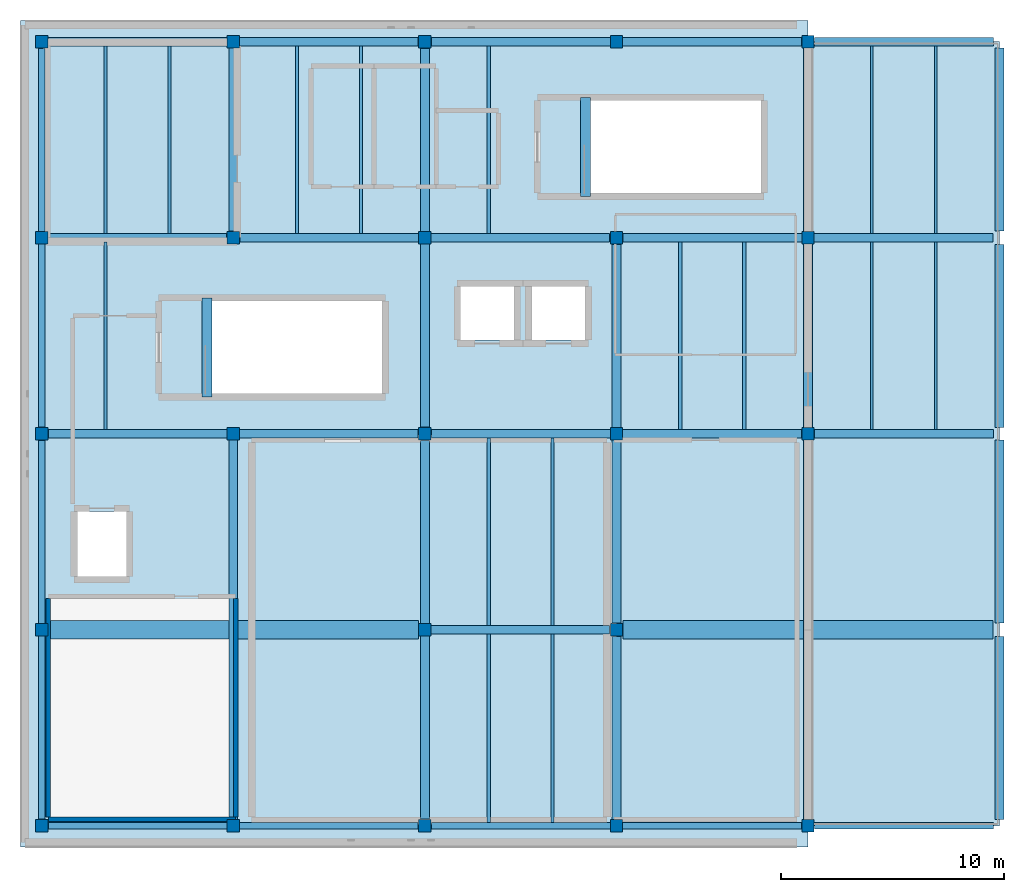
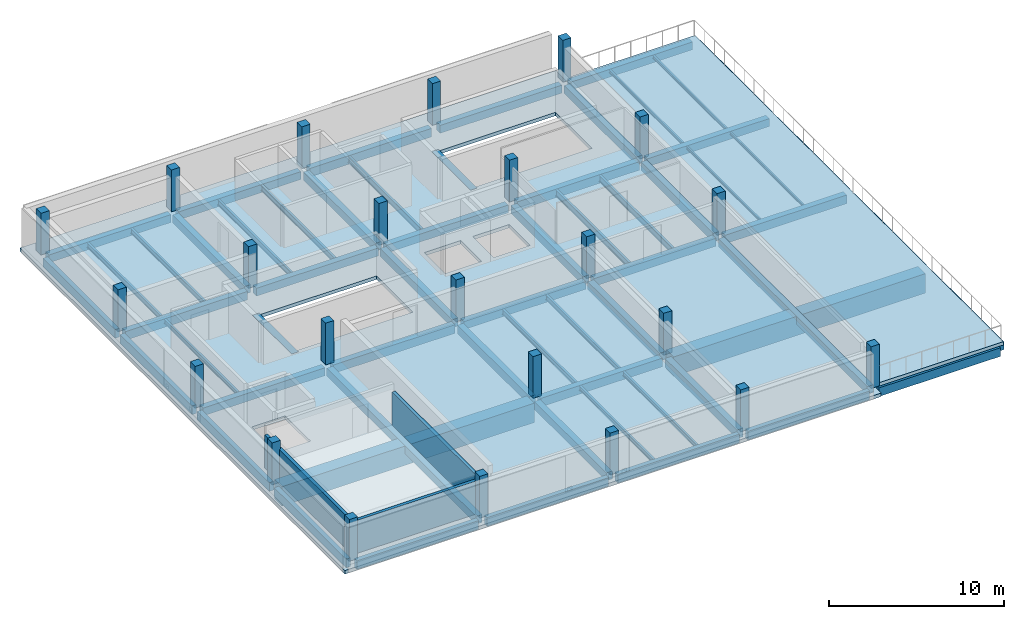
# One storey, part 1 of 6: 61 beams, 23 columns, 3 walls, 2 slabs.
"""IFC4 building model written with IfcOpenShell, lengths in metres."""

from ifc_helpers import new_model, si_unit, direction, frame, frame_2d, origin, origin_2d, place, context, subcontext, project, spatial, polyline, rectangle, i_section, outline, extrude, material, layer, layer_set, material_profile, profile_set, type_object, element, save


model = new_model("IFC4")

# Units and contexts
model_context = context("Model", 3, precision=1e-05, world=origin(), true_north=direction((0.0, 1.0)))
body_context = subcontext(model_context, "Body", "Model", "MODEL_VIEW")
ifc_project = project(units=[si_unit("LENGTHUNIT", "METRE"), si_unit("AREAUNIT", "SQUARE_METRE"), si_unit("VOLUMEUNIT", "CUBIC_METRE"), si_unit("PLANEANGLEUNIT", "RADIAN"), si_unit("MASSUNIT", "GRAM", prefix="KILO")], contexts=[model_context])

# Site, building, storey
site_placement = place(None, origin())
site = spatial("IfcSite", under=ifc_project, at=site_placement, CompositionType="ELEMENT")
building_placement = place(site_placement, origin())
building = spatial("IfcBuilding", under=site, at=building_placement, Name="Varnakota Cinema and Media Centre", CompositionType="ELEMENT")
storey_placement = place(building_placement, frame((0.0, 0.0, 25.5)))
storey = spatial("IfcBuildingStorey", under=building, at=storey_placement, Name="L07", CompositionType="ELEMENT", Elevation=25.5)

# Columns
ifc_material_1 = material(Name="Concrete M40", Category="concrete")
ifc_material_profile_1 = material_profile(ifc_material_1, rectangle(XDim=0.550048828125, YDim=0.550048828125, at=origin_2d()), Name="RC 550x550")
ifc_profile_set_1 = profile_set([ifc_material_profile_1], Name="Concrete M40")
column_type = type_object("IfcColumnType", Name="COL-RC-550x550", PredefinedType="COLUMN", material=ifc_profile_set_1)
for number, where, z_axis, x_axis, name in (
    (1, (0.0, 0.0, 0.0), (0.0, 0.0, 1.0), (1.0, 0.0, 0.0), "L07 column A/1"),
    (2, (0.0, 8.800048828125, 0.0), (0.0, 0.0, 1.0), (1.0, 0.0, 0.0), "L07 column A/2"),
    (3, (0.0, 17.60009765625, 0.0), (0.0, 0.0, 1.0), (1.0, 0.0, 0.0), "L07 column A/3"),
    (4, (0.0, 26.39990234375, 0.0), (0.0, 0.0, 1.0), (1.0, 0.0, 0.0), "L07 column A/4"),
    (5, (0.0, 35.199951171875, 0.0), (0.0, 0.0, 1.0), (1.0, 0.0, 0.0), "L07 column A/5"),
    (6, (8.60009765625, 0.0, 0.0), (0.0, 0.0, 1.0), (1.0, 0.0, 0.0), "L07 column B/1"),
    (7, (8.60009765625, 17.60009765625, 0.0), (0.0, 0.0, 1.0), (1.0, 0.0, 0.0), "L07 column B/3"),
    (8, (8.60009765625, 26.39990234375, 0.0), (0.0, 0.0, 1.0), (1.0, 0.0, 0.0), "L07 column B/4"),
    (9, (8.60009765625, 35.199951171875, 0.0), (0.0, 0.0, 1.0), (1.0, 0.0, 0.0), "L07 column B/5"),
    (10, (17.199951171875, 0.0, 0.0), (0.0, 0.0, 1.0), (1.0, 0.0, 0.0), "L07 column C/1"),
    (11, (17.199951171875, 8.800048828125, 0.0), (0.0, 0.0, 1.0), (1.0, 0.0, 0.0), "L07 column C/2"),
    (12, (17.199951171875, 17.60009765625, 0.0), (0.0, 0.0, 1.0), (1.0, 0.0, 0.0), "L07 column C/3"),
    (13, (17.199951171875, 26.39990234375, 0.0), (0.0, 0.0, 1.0), (1.0, 0.0, 0.0), "L07 column C/4"),
    (14, (17.199951171875, 35.199951171875, 0.0), (0.0, 0.0, 1.0), (1.0, 0.0, 0.0), "L07 column C/5"),
    (15, (25.800048828125, 0.0, 0.0), (0.0, 0.0, 1.0), (1.0, 0.0, 0.0), "L07 column D/1"),
    (16, (25.800048828125, 8.800048828125, 0.0), (0.0, 0.0, 1.0), (1.0, 0.0, 0.0), "L07 column D/2"),
    (17, (25.800048828125, 17.60009765625, 0.0), (0.0, 0.0, 1.0), (1.0, 0.0, 0.0), "L07 column D/3"),
    (18, (25.800048828125, 26.39990234375, 0.0), (0.0, 0.0, 1.0), (1.0, 0.0, 0.0), "L07 column D/4"),
    (19, (25.800048828125, 35.199951171875, 0.0), (0.0, 0.0, 1.0), (1.0, 0.0, 0.0), "L07 column D/5"),
    (20, (34.39990234375, 0.0, 0.0), (0.0, 0.0, 1.0), (1.0, 0.0, 0.0), "L07 column E/1"),
    (21, (34.39990234375, 17.60009765625, 0.0), (0.0, 0.0, 1.0), (1.0, 0.0, 0.0), "L07 column E/3"),
    (22, (34.39990234375, 26.39990234375, 0.0), (0.0, 0.0, 1.0), (1.0, 0.0, 0.0), "L07 column E/4"),
    (23, (34.39990234375, 35.199951171875, 0.0), (0.0, 0.0, 1.0), (1.0, 0.0, 0.0), "L07 column E/5"),
):
    element("IfcColumn", number, at=place(storey_placement, frame(where, z_axis=z_axis, x_axis=x_axis)), inside=storey, type_object=column_type, Name=name, PredefinedType="COLUMN", context=body_context, shape_type="SweptSolid", body=[
        extrude(rectangle(XDim=0.550048828125, YDim=0.550048828125, at=origin_2d()), origin(), (0.0, 0.0, 1.0), 2.909912109375),
    ])

# Beams
ifc_material_2 = material(Name="Concrete M35", Category="concrete")
ifc_material_profile_2 = material_profile(ifc_material_2, rectangle(XDim=0.39990234375, YDim=0.550048828125, at=origin_2d()), Name="RCB 400x550")
ifc_profile_set_2 = profile_set([ifc_material_profile_2], Name="Concrete M35")
beam_type_1 = type_object("IfcBeamType", Name="BM-RC-400x550", PredefinedType="BEAM", material=ifc_profile_set_2)
for number, where, z_axis, x_axis, name in (
    (24, (0.300048828125, 17.60009765625, -0.514892578125), (1.0, 0.0, 0.0), (0.0, 1.0, 0.0), "L07 girder A-B/3"),
    (25, (17.5, 17.60009765625, -0.514892578125), (1.0, 0.0, 0.0), (0.0, 1.0, 0.0), "L07 girder C-D/3"),
):
    element("IfcBeam", number, at=place(storey_placement, frame(where, z_axis=z_axis, x_axis=x_axis)), inside=storey, type_object=beam_type_1, Name=name, PredefinedType="BEAM", context=body_context, shape_type="SweptSolid", body=[
        extrude(rectangle(XDim=0.39990234375, YDim=0.550048828125, at=origin_2d()), origin(), (0.0, 0.0, 1.0), 8.02490234375),
    ])
for number, where, z_axis, x_axis, name in (
    (26, (26.074951171875, 17.60009765625, -0.514892578125), (1.0, 0.0, 0.0), (0.0, 1.0, 0.0), "L07 girder D-E/3"),
    (27, (8.89990234375, 26.39990234375, -0.514892578125), (1.0, 0.0, 0.0), (0.0, 1.0, 0.0), "L07 girder B-C/4"),
):
    element("IfcBeam", number, at=place(storey_placement, frame(where, z_axis=z_axis, x_axis=x_axis)), inside=storey, type_object=beam_type_1, Name=name, PredefinedType="BEAM", context=body_context, shape_type="SweptSolid", body=[
        extrude(rectangle(XDim=0.39990234375, YDim=0.550048828125, at=origin_2d()), origin(), (0.0, 0.0, 1.0), 8.025146484375),
    ])
for number, where, z_axis, x_axis, name in (
    (28, (17.47509765625, 26.39990234375, -0.514892578125), (1.0, 0.0, 0.0), (0.0, 1.0, 0.0), "L07 girder C-D/4"),
    (29, (34.675048828125, 26.39990234375, -0.514892578125), (1.0, 0.0, 0.0), (0.0, 1.0, 0.0), "L07 girder E-F/4"),
    (30, (0.300048828125, 35.199951171875, -0.514892578125), (1.0, 0.0, 0.0), (0.0, 1.0, 0.0), "L07 girder A-B/5"),
    (31, (8.875, 35.199951171875, -0.514892578125), (1.0, 0.0, 0.0), (0.0, 1.0, 0.0), "L07 girder B-C/5"),
):
    element("IfcBeam", number, at=place(storey_placement, frame(where, z_axis=z_axis, x_axis=x_axis)), inside=storey, type_object=beam_type_1, Name=name, PredefinedType="BEAM", context=body_context, shape_type="SweptSolid", body=[
        extrude(rectangle(XDim=0.39990234375, YDim=0.550048828125, at=origin_2d()), origin(), (0.0, 0.0, 1.0), 8.02490234375),
    ])
for number, where, z_axis, x_axis, name in (
    (32, (26.074951171875, 35.199951171875, -0.514892578125), (1.0, 0.0, 0.0), (0.0, 1.0, 0.0), "L07 girder D-E/5"),
    (33, (34.699951171875, 35.199951171875, -0.514892578125), (1.0, 0.0, 0.0), (0.0, 1.0, 0.0), "L07 girder E-F/5"),
):
    element("IfcBeam", number, at=place(storey_placement, frame(where, z_axis=z_axis, x_axis=x_axis)), inside=storey, type_object=beam_type_1, Name=name, PredefinedType="BEAM", context=body_context, shape_type="SweptSolid", body=[
        extrude(rectangle(XDim=0.39990234375, YDim=0.550048828125, at=origin_2d()), origin(), (0.0, 0.0, 1.0), 8.025146484375),
    ])
beam_1_placement = place(storey_placement, frame((8.60009765625, 0.27490234375, -0.514892578125), z_axis=(0.0, 1.0, 0.0), x_axis=(-1.0, 0.0, 0.0)))
element("IfcBeam", 34, at=beam_1_placement, inside=storey, type_object=beam_type_1, Name="L07 girder B/1-3", PredefinedType="BEAM", context=body_context, shape_type="SweptSolid", body=[
    extrude(rectangle(XDim=0.39990234375, YDim=0.550048828125, at=origin_2d()), origin(), (0.0, 0.0, 1.0), 17.050048828125),
])
beam_2_placement = place(storey_placement, frame((8.60009765625, 26.699951171875, -0.514892578125), z_axis=(0.0, 1.0, 0.0), x_axis=(-1.0, 0.0, 0.0)))
element("IfcBeam", 35, at=beam_2_placement, inside=storey, type_object=beam_type_1, Name="L07 girder B/4-5", PredefinedType="BEAM", context=body_context, shape_type="SweptSolid", body=[
    extrude(rectangle(XDim=0.39990234375, YDim=0.550048828125, at=origin_2d()), origin(), (0.0, 0.0, 1.0), 8.22509765625),
])
beam_3_placement = place(storey_placement, frame((17.199951171875, 0.300048828125, -0.514892578125), z_axis=(0.0, 1.0, 0.0), x_axis=(-1.0, 0.0, 0.0)))
element("IfcBeam", 36, at=beam_3_placement, inside=storey, type_object=beam_type_1, Name="L07 girder C/1-2", PredefinedType="BEAM", context=body_context, shape_type="SweptSolid", body=[
    extrude(rectangle(XDim=0.39990234375, YDim=0.550048828125, at=origin_2d()), origin(), (0.0, 0.0, 1.0), 8.224853515625),
])
beam_4_placement = place(storey_placement, frame((17.199951171875, 17.89990234375, -0.514892578125), z_axis=(0.0, 1.0, 0.0), x_axis=(-1.0, 0.0, 0.0)))
element("IfcBeam", 37, at=beam_4_placement, inside=storey, type_object=beam_type_1, Name="L07 girder C/3-4", PredefinedType="BEAM", context=body_context, shape_type="SweptSolid", body=[
    extrude(rectangle(XDim=0.39990234375, YDim=0.550048828125, at=origin_2d()), origin(), (0.0, 0.0, 1.0), 8.22509765625),
])
for number, where, z_axis, x_axis, name in (
    (38, (17.199951171875, 26.675048828125, -0.514892578125), (0.0, 1.0, 0.0), (-1.0, 0.0, 0.0), "L07 girder C/4-5"),
    (39, (25.800048828125, 9.10009765625, -0.514892578125), (0.0, 1.0, 0.0), (-1.0, 0.0, 0.0), "L07 girder D/2-3"),
):
    element("IfcBeam", number, at=place(storey_placement, frame(where, z_axis=z_axis, x_axis=x_axis)), inside=storey, type_object=beam_type_1, Name=name, PredefinedType="BEAM", context=body_context, shape_type="SweptSolid", body=[
        extrude(rectangle(XDim=0.39990234375, YDim=0.550048828125, at=origin_2d()), origin(), (0.0, 0.0, 1.0), 8.224853515625),
    ])
beam_5_placement = place(storey_placement, frame((25.800048828125, 17.875, -0.514892578125), z_axis=(0.0, 1.0, 0.0), x_axis=(-1.0, 0.0, 0.0)))
element("IfcBeam", 40, at=beam_5_placement, inside=storey, type_object=beam_type_1, Name="L07 girder D/3-4", PredefinedType="BEAM", context=body_context, shape_type="SweptSolid", body=[
    extrude(rectangle(XDim=0.39990234375, YDim=0.550048828125, at=origin_2d()), origin(), (0.0, 0.0, 1.0), 8.22509765625),
])
beam_6_placement = place(storey_placement, frame((34.39990234375, 0.300048828125, -0.514892578125), z_axis=(0.0, 1.0, 0.0), x_axis=(-1.0, 0.0, 0.0)))
element("IfcBeam", 41, at=beam_6_placement, inside=storey, type_object=beam_type_1, Name="L07 girder E/1-3", PredefinedType="BEAM", context=body_context, shape_type="SweptSolid", body=[
    extrude(rectangle(XDim=0.39990234375, YDim=0.550048828125, at=origin_2d()), origin(), (0.0, 0.0, 1.0), 17.0),
])
beam_7_placement = place(storey_placement, frame((34.39990234375, 26.675048828125, -0.514892578125), z_axis=(0.0, 1.0, 0.0), x_axis=(-1.0, 0.0, 0.0)))
element("IfcBeam", 42, at=beam_7_placement, inside=storey, type_object=beam_type_1, Name="L07 girder E/4-5", PredefinedType="BEAM", context=body_context, shape_type="SweptSolid", body=[
    extrude(rectangle(XDim=0.39990234375, YDim=0.550048828125, at=origin_2d()), origin(), (0.0, 0.0, 1.0), 8.224853515625),
])
for number, where, z_axis, x_axis, name in (
    (43, (43.0, 0.27490234375, -0.514892578125), (0.0, 1.0, 0.0), (-1.0, 0.0, 0.0), "L07 girder F/1-2"),
    (44, (43.0, 17.875, -0.514892578125), (0.0, 1.0, 0.0), (-1.0, 0.0, 0.0), "L07 girder F/3-4"),
    (45, (43.0, 26.699951171875, -0.514892578125), (0.0, 1.0, 0.0), (-1.0, 0.0, 0.0), "L07 girder F/4-5"),
):
    element("IfcBeam", number, at=place(storey_placement, frame(where, z_axis=z_axis, x_axis=x_axis)), inside=storey, type_object=beam_type_1, Name=name, PredefinedType="BEAM", context=body_context, shape_type="SweptSolid", body=[
        extrude(rectangle(XDim=0.39990234375, YDim=0.550048828125, at=origin_2d()), origin(), (0.0, 0.0, 1.0), 8.22509765625),
    ])
ifc_material_3 = material(Name="Concrete M35", Category="concrete")
ifc_material_profile_3 = material_profile(ifc_material_3, rectangle(XDim=0.39990234375, YDim=0.60009765625, at=origin_2d()), Name="RCB 400x600")
ifc_profile_set_3 = profile_set([ifc_material_profile_3], Name="Concrete M35")
beam_type_2 = type_object("IfcBeamType", Name="BM-RC-400x600", PredefinedType="BEAM", material=ifc_profile_set_3)
for number, where, z_axis, x_axis, name in (
    (46, (17.47509765625, 8.800048828125, -0.5400390625), (1.0, 0.0, 0.0), (0.0, 1.0, 0.0), "L07 girder C-D/2"),
    (47, (8.875, 17.60009765625, -0.5400390625), (1.0, 0.0, 0.0), (0.0, 1.0, 0.0), "L07 girder B-C/3"),
):
    element("IfcBeam", number, at=place(storey_placement, frame(where, z_axis=z_axis, x_axis=x_axis)), inside=storey, type_object=beam_type_2, Name=name, PredefinedType="BEAM", context=body_context, shape_type="SweptSolid", body=[
        extrude(rectangle(XDim=0.39990234375, YDim=0.60009765625, at=origin_2d()), origin(), (0.0, 0.0, 1.0), 8.02490234375),
    ])
for number, where, z_axis, x_axis, name in (
    (48, (34.699951171875, 17.60009765625, -0.5400390625), (1.0, 0.0, 0.0), (0.0, 1.0, 0.0), "L07 girder E-F/3"),
    (49, (0.27490234375, 26.39990234375, -0.5400390625), (1.0, 0.0, 0.0), (0.0, 1.0, 0.0), "L07 girder A-B/4"),
):
    element("IfcBeam", number, at=place(storey_placement, frame(where, z_axis=z_axis, x_axis=x_axis)), inside=storey, type_object=beam_type_2, Name=name, PredefinedType="BEAM", context=body_context, shape_type="SweptSolid", body=[
        extrude(rectangle(XDim=0.39990234375, YDim=0.60009765625, at=origin_2d()), origin(), (0.0, 0.0, 1.0), 8.025146484375),
    ])
for number, where, z_axis, x_axis, name in (
    (50, (26.10009765625, 26.39990234375, -0.5400390625), (1.0, 0.0, 0.0), (0.0, 1.0, 0.0), "L07 girder D-E/4"),
    (51, (17.5, 35.199951171875, -0.5400390625), (1.0, 0.0, 0.0), (0.0, 1.0, 0.0), "L07 girder C-D/5"),
):
    element("IfcBeam", number, at=place(storey_placement, frame(where, z_axis=z_axis, x_axis=x_axis)), inside=storey, type_object=beam_type_2, Name=name, PredefinedType="BEAM", context=body_context, shape_type="SweptSolid", body=[
        extrude(rectangle(XDim=0.39990234375, YDim=0.60009765625, at=origin_2d()), origin(), (0.0, 0.0, 1.0), 8.02490234375),
    ])
for number, where, z_axis, x_axis, name in (
    (52, (17.199951171875, 9.074951171875, -0.5400390625), (0.0, 1.0, 0.0), (-1.0, 0.0, 0.0), "L07 girder C/2-3"),
    (53, (25.800048828125, 0.27490234375, -0.5400390625), (0.0, 1.0, 0.0), (-1.0, 0.0, 0.0), "L07 girder D/1-2"),
    (54, (34.39990234375, 17.89990234375, -0.5400390625), (0.0, 1.0, 0.0), (-1.0, 0.0, 0.0), "L07 girder E/3-4"),
):
    element("IfcBeam", number, at=place(storey_placement, frame(where, z_axis=z_axis, x_axis=x_axis)), inside=storey, type_object=beam_type_2, Name=name, PredefinedType="BEAM", context=body_context, shape_type="SweptSolid", body=[
        extrude(rectangle(XDim=0.39990234375, YDim=0.60009765625, at=origin_2d()), origin(), (0.0, 0.0, 1.0), 8.22509765625),
    ])
beam_8_placement = place(storey_placement, frame((43.0, 9.10009765625, -0.5400390625), z_axis=(0.0, 1.0, 0.0), x_axis=(-1.0, 0.0, 0.0)))
element("IfcBeam", 55, at=beam_8_placement, inside=storey, type_object=beam_type_2, Name="L07 girder F/2-3", PredefinedType="BEAM", context=body_context, shape_type="SweptSolid", body=[
    extrude(rectangle(XDim=0.39990234375, YDim=0.60009765625, at=origin_2d()), origin(), (0.0, 0.0, 1.0), 8.224853515625),
])
ifc_material_4 = material(Name="Concrete M40", Category="concrete")
ifc_material_profile_4 = material_profile(ifc_material_4, rectangle(XDim=0.449951171875, YDim=0.550048828125, at=origin_2d()), Name="RCB 450x550")
ifc_profile_set_4 = profile_set([ifc_material_profile_4], Name="Concrete M40")
beam_type_3 = type_object("IfcBeamType", Name="BM-RC-450x550", PredefinedType="BEAM", material=ifc_profile_set_4)
for number, where, z_axis, x_axis, name in (
    (56, (7.419921875, 19.25, -0.27490234375), (0.0, 1.0, 0.0), (-1.0, 0.0, 0.0), "L07 ST-01 stair arrival trimmer beam"),
    (57, (24.419921875, 28.25, -0.27490234375), (0.0, 1.0, 0.0), (-1.0, 0.0, 0.0), "L07 ST-02 stair arrival trimmer beam"),
):
    element("IfcBeam", number, at=place(storey_placement, frame(where, z_axis=z_axis, x_axis=x_axis)), inside=storey, type_object=beam_type_3, Name=name, PredefinedType="BEAM", context=body_context, shape_type="SweptSolid", body=[
        extrude(rectangle(XDim=0.449951171875, YDim=0.550048828125, at=origin_2d()), origin(), (0.0, 0.0, 1.0), 4.449951171875),
    ])
ifc_material_5 = material(Name="Concrete M35", Category="concrete")
ifc_material_profile_5 = material_profile(ifc_material_5, rectangle(XDim=0.300048828125, YDim=0.60009765625, at=origin_2d()), Name="RCB 300x600")
ifc_profile_set_5 = profile_set([ifc_material_profile_5], Name="Concrete M35")
beam_type_4 = type_object("IfcBeamType", Name="BM-SP-300x600", PredefinedType="SPANDREL", material=ifc_profile_set_5)
for number, where, z_axis, x_axis, name in (
    (58, (0.300048828125, 0.0, -0.5400390625), (1.0, 0.0, 0.0), (0.0, 1.0, 0.0), "L07 girder A-B/1"),
    (59, (8.875, 0.0, -0.5400390625), (1.0, 0.0, 0.0), (0.0, 1.0, 0.0), "L07 girder B-C/1"),
    (60, (17.5, 0.0, -0.5400390625), (1.0, 0.0, 0.0), (0.0, 1.0, 0.0), "L07 girder C-D/1"),
):
    element("IfcBeam", number, at=place(storey_placement, frame(where, z_axis=z_axis, x_axis=x_axis)), inside=storey, type_object=beam_type_4, Name=name, PredefinedType="SPANDREL", context=body_context, shape_type="SweptSolid", body=[
        extrude(rectangle(XDim=0.300048828125, YDim=0.60009765625, at=origin_2d()), origin(), (0.0, 0.0, 1.0), 8.02490234375),
    ])
for number, where, z_axis, x_axis, name in (
    (61, (26.074951171875, 0.0, -0.5400390625), (1.0, 0.0, 0.0), (0.0, 1.0, 0.0), "L07 girder D-E/1"),
    (62, (34.699951171875, 0.0, -0.5400390625), (1.0, 0.0, 0.0), (0.0, 1.0, 0.0), "L07 girder E-F/1"),
):
    element("IfcBeam", number, at=place(storey_placement, frame(where, z_axis=z_axis, x_axis=x_axis)), inside=storey, type_object=beam_type_4, Name=name, PredefinedType="SPANDREL", context=body_context, shape_type="SweptSolid", body=[
        extrude(rectangle(XDim=0.300048828125, YDim=0.60009765625, at=origin_2d()), origin(), (0.0, 0.0, 1.0), 8.025146484375),
    ])
beam_9_placement = place(storey_placement, frame((0.0, 0.300048828125, -0.5400390625), z_axis=(0.0, 1.0, 0.0), x_axis=(-1.0, 0.0, 0.0)))
element("IfcBeam", 63, at=beam_9_placement, inside=storey, type_object=beam_type_4, Name="L07 girder A/1-2", PredefinedType="SPANDREL", context=body_context, shape_type="SweptSolid", body=[
    extrude(rectangle(XDim=0.300048828125, YDim=0.60009765625, at=origin_2d()), origin(), (0.0, 0.0, 1.0), 8.224853515625),
])
for number, where, z_axis, x_axis, name in (
    (64, (0.0, 9.074951171875, -0.5400390625), (0.0, 1.0, 0.0), (-1.0, 0.0, 0.0), "L07 girder A/2-3"),
    (65, (0.0, 17.89990234375, -0.5400390625), (0.0, 1.0, 0.0), (-1.0, 0.0, 0.0), "L07 girder A/3-4"),
):
    element("IfcBeam", number, at=place(storey_placement, frame(where, z_axis=z_axis, x_axis=x_axis)), inside=storey, type_object=beam_type_4, Name=name, PredefinedType="SPANDREL", context=body_context, shape_type="SweptSolid", body=[
        extrude(rectangle(XDim=0.300048828125, YDim=0.60009765625, at=origin_2d()), origin(), (0.0, 0.0, 1.0), 8.22509765625),
    ])
beam_10_placement = place(storey_placement, frame((0.0, 26.675048828125, -0.5400390625), z_axis=(0.0, 1.0, 0.0), x_axis=(-1.0, 0.0, 0.0)))
element("IfcBeam", 66, at=beam_10_placement, inside=storey, type_object=beam_type_4, Name="L07 girder A/4-5", PredefinedType="SPANDREL", context=body_context, shape_type="SweptSolid", body=[
    extrude(rectangle(XDim=0.300048828125, YDim=0.60009765625, at=origin_2d()), origin(), (0.0, 0.0, 1.0), 8.224853515625),
])
ifc_material_6 = material(Name="Structural steel Grade 350 (E350)", Category="steel")
ifc_material_profile_6 = material_profile(ifc_material_6, i_section(OverallWidth=0.10009765625, OverallDepth=0.199951171875, WebThickness=0.005615234375, FlangeThickness=0.0107421875, FilletRadius=0.010986328125, at=origin_2d()), Name="ISMB 200")
ifc_profile_set_6 = profile_set([ifc_material_profile_6], Name="Structural steel Grade 350 (E350)")
beam_type_5 = type_object("IfcBeamType", Name="BM-ST-ISMB200", PredefinedType="JOIST", material=ifc_profile_set_6)
for number, where, z_axis, x_axis, name in (
    (67, (37.2666015625, 17.800048828125, -0.340087890625), (0.0, 1.0, 0.0), (-1.0, 0.0, 0.0), "L07 steel joist E-F/3-4 #1"),
    (68, (40.13330078125, 17.800048828125, -0.340087890625), (0.0, 1.0, 0.0), (-1.0, 0.0, 0.0), "L07 steel joist E-F/3-4 #2"),
):
    element("IfcBeam", number, at=place(storey_placement, frame(where, z_axis=z_axis, x_axis=x_axis)), inside=storey, type_object=beam_type_5, Name=name, PredefinedType="JOIST", context=body_context, shape_type="SweptSolid", body=[
        extrude(i_section(OverallWidth=0.10009765625, OverallDepth=0.199951171875, WebThickness=0.005615234375, FlangeThickness=0.0107421875, FilletRadius=0.010986328125, at=origin_2d()), origin(), (0.0, 0.0, 1.0), 8.39990234375),
    ])
ifc_material_7 = material(Name="Structural steel Grade 350 (E350)", Category="steel")
ifc_material_profile_7 = material_profile(ifc_material_7, i_section(OverallWidth=0.110107421875, OverallDepth=0.22509765625, WebThickness=0.006591796875, FlangeThickness=0.01171875, FilletRadius=0.011962890625, at=origin_2d()), Name="ISMB 225")
ifc_profile_set_7 = profile_set([ifc_material_profile_7], Name="Structural steel Grade 350 (E350)")
beam_type_6 = type_object("IfcBeamType", Name="BM-ST-ISMB225", PredefinedType="JOIST", material=ifc_profile_set_7)
for number, where, z_axis, x_axis, name in (
    (69, (37.2666015625, 26.60009765625, -0.3525390625), (0.0, 1.0, 0.0), (-1.0, 0.0, 0.0), "L07 steel joist E-F/4-5 #1"),
    (70, (40.13330078125, 26.60009765625, -0.3525390625), (0.0, 1.0, 0.0), (-1.0, 0.0, 0.0), "L07 steel joist E-F/4-5 #2"),
):
    element("IfcBeam", number, at=place(storey_placement, frame(where, z_axis=z_axis, x_axis=x_axis)), inside=storey, type_object=beam_type_6, Name=name, PredefinedType="JOIST", context=body_context, shape_type="SweptSolid", body=[
        extrude(i_section(OverallWidth=0.110107421875, OverallDepth=0.22509765625, WebThickness=0.006591796875, FlangeThickness=0.01171875, FilletRadius=0.011962890625, at=origin_2d()), origin(), (0.0, 0.0, 1.0), 8.39990234375),
    ])
ifc_material_8 = material(Name="Structural steel Grade 350 (E350)", Category="steel")
ifc_material_profile_8 = material_profile(ifc_material_8, i_section(OverallWidth=0.139892578125, OverallDepth=0.300048828125, WebThickness=0.0078125, FlangeThickness=0.01318359375, FilletRadius=0.013916015625, at=origin_2d()), Name="ISMB 300")
ifc_profile_set_8 = profile_set([ifc_material_profile_8], Name="Structural steel Grade 350 (E350)")
beam_type_7 = type_object("IfcBeamType", Name="BM-ST-ISMB300", PredefinedType="JOIST", material=ifc_profile_set_8)
beam_11_placement = place(storey_placement, frame((2.86669921875, 17.800048828125, -0.389892578125), z_axis=(0.0, 1.0, 0.0), x_axis=(-1.0, 0.0, 0.0)))
element("IfcBeam", 71, at=beam_11_placement, inside=storey, type_object=beam_type_7, Name="L07 steel joist A-B/3-4 #1", PredefinedType="JOIST", context=body_context, shape_type="SweptSolid", body=[
    extrude(i_section(OverallWidth=0.139892578125, OverallDepth=0.300048828125, WebThickness=0.0078125, FlangeThickness=0.01318359375, FilletRadius=0.013916015625, at=origin_2d()), origin(), (0.0, 0.0, 1.0), 8.39990234375),
])
for number, where, z_axis, x_axis, name in (
    (72, (20.066650390625, 0.14990234375, -0.389892578125), (0.0, 1.0, 0.0), (-1.0, 0.0, 0.0), "L07 steel joist C-D/1-2 #1"),
    (73, (22.933349609375, 0.14990234375, -0.389892578125), (0.0, 1.0, 0.0), (-1.0, 0.0, 0.0), "L07 steel joist C-D/1-2 #2"),
):
    element("IfcBeam", number, at=place(storey_placement, frame(where, z_axis=z_axis, x_axis=x_axis)), inside=storey, type_object=beam_type_7, Name=name, PredefinedType="JOIST", context=body_context, shape_type="SweptSolid", body=[
        extrude(i_section(OverallWidth=0.139892578125, OverallDepth=0.300048828125, WebThickness=0.0078125, FlangeThickness=0.01318359375, FilletRadius=0.013916015625, at=origin_2d()), origin(), (0.0, 0.0, 1.0), 8.4501953125),
    ])
ifc_material_9 = material(Name="Structural steel Grade 350 (E350)", Category="steel")
ifc_material_profile_9 = material_profile(ifc_material_9, i_section(OverallWidth=0.139892578125, OverallDepth=0.35009765625, WebThickness=0.008056640625, FlangeThickness=0.01416015625, FilletRadius=0.013916015625, at=origin_2d()), Name="ISMB 350")
ifc_profile_set_9 = profile_set([ifc_material_profile_9], Name="Structural steel Grade 350 (E350)")
beam_type_8 = type_object("IfcBeamType", Name="BM-ST-ISMB350", PredefinedType="JOIST", material=ifc_profile_set_9)
for number, where, z_axis, x_axis, name in (
    (74, (2.86669921875, 26.60009765625, -0.4150390625), (0.0, 1.0, 0.0), (-1.0, 0.0, 0.0), "L07 steel joist A-B/4-5 #1"),
    (75, (5.7333984375, 26.60009765625, -0.4150390625), (0.0, 1.0, 0.0), (-1.0, 0.0, 0.0), "L07 steel joist A-B/4-5 #2"),
    (76, (20.066650390625, 9.0, -0.4150390625), (0.0, 1.0, 0.0), (-1.0, 0.0, 0.0), "L07 steel joist C-D/2-3 #1"),
    (77, (22.933349609375, 9.0, -0.4150390625), (0.0, 1.0, 0.0), (-1.0, 0.0, 0.0), "L07 steel joist C-D/2-3 #2"),
):
    element("IfcBeam", number, at=place(storey_placement, frame(where, z_axis=z_axis, x_axis=x_axis)), inside=storey, type_object=beam_type_8, Name=name, PredefinedType="JOIST", context=body_context, shape_type="SweptSolid", body=[
        extrude(i_section(OverallWidth=0.139892578125, OverallDepth=0.35009765625, WebThickness=0.008056640625, FlangeThickness=0.01416015625, FilletRadius=0.013916015625, at=origin_2d()), origin(), (0.0, 0.0, 1.0), 8.39990234375),
    ])
ifc_material_10 = material(Name="Structural steel Grade 350 (E350)", Category="steel")
ifc_material_profile_10 = material_profile(ifc_material_10, i_section(OverallWidth=0.139892578125, OverallDepth=0.39990234375, WebThickness=0.0087890625, FlangeThickness=0.01611328125, FilletRadius=0.013916015625, at=origin_2d()), Name="ISMB 400")
ifc_profile_set_10 = profile_set([ifc_material_profile_10], Name="Structural steel Grade 350 (E350)")
beam_type_9 = type_object("IfcBeamType", Name="BM-ST-ISMB400", PredefinedType="JOIST", material=ifc_profile_set_10)
for number, where, z_axis, x_axis, name in (
    (78, (11.466796875, 26.60009765625, -0.43994140625), (0.0, 1.0, 0.0), (-1.0, 0.0, 0.0), "L07 steel joist B-C/4-5 #1"),
    (79, (14.333251953125, 26.60009765625, -0.43994140625), (0.0, 1.0, 0.0), (-1.0, 0.0, 0.0), "L07 steel joist B-C/4-5 #2"),
):
    element("IfcBeam", number, at=place(storey_placement, frame(where, z_axis=z_axis, x_axis=x_axis)), inside=storey, type_object=beam_type_9, Name=name, PredefinedType="JOIST", context=body_context, shape_type="SweptSolid", body=[
        extrude(i_section(OverallWidth=0.139892578125, OverallDepth=0.39990234375, WebThickness=0.0087890625, FlangeThickness=0.01611328125, FilletRadius=0.013916015625, at=origin_2d()), origin(), (0.0, 0.0, 1.0), 8.39990234375),
    ])
ifc_material_11 = material(Name="Structural steel Grade 350 (E350)", Category="steel")
ifc_material_profile_11 = material_profile(ifc_material_11, i_section(OverallWidth=0.14990234375, OverallDepth=0.449951171875, WebThickness=0.009521484375, FlangeThickness=0.017333984375, FilletRadius=0.014892578125, at=origin_2d()), Name="ISMB 450")
ifc_profile_set_11 = profile_set([ifc_material_profile_11], Name="Structural steel Grade 350 (E350)")
beam_type_10 = type_object("IfcBeamType", Name="BM-ST-ISMB450", PredefinedType="BEAM", material=ifc_profile_set_11)
for number, where, z_axis, x_axis, name in (
    (80, (20.066650390625, 26.60009765625, -0.465087890625), (0.0, 1.0, 0.0), (-1.0, 0.0, 0.0), "L07 steel joist C-D/4-5 #1"),
    (81, (28.666748046875, 17.800048828125, -0.465087890625), (0.0, 1.0, 0.0), (-1.0, 0.0, 0.0), "L07 steel joist D-E/3-4 #1"),
    (82, (31.533203125, 17.800048828125, -0.465087890625), (0.0, 1.0, 0.0), (-1.0, 0.0, 0.0), "L07 steel joist D-E/3-4 #2"),
):
    element("IfcBeam", number, at=place(storey_placement, frame(where, z_axis=z_axis, x_axis=x_axis)), inside=storey, type_object=beam_type_10, Name=name, PredefinedType="BEAM", context=body_context, shape_type="SweptSolid", body=[
        extrude(i_section(OverallWidth=0.14990234375, OverallDepth=0.449951171875, WebThickness=0.009521484375, FlangeThickness=0.017333984375, FilletRadius=0.014892578125, at=origin_2d()), origin(), (0.0, 0.0, 1.0), 8.39990234375),
    ])
ifc_material_12 = material(Name="Concrete M50", Category="concrete")
ifc_material_profile_12 = material_profile(ifc_material_12, rectangle(XDim=0.85009765625, YDim=1.35009765625, at=origin_2d()), Name="RCB 850x1350")
ifc_profile_set_12 = profile_set([ifc_material_profile_12], Name="Concrete M50")
beam_type_11 = type_object("IfcBeamType", Name="BM-TG-850x1350", PredefinedType="BEAM", material=ifc_profile_set_12)
beam_12_placement = place(storey_placement, frame((0.27490234375, 8.800048828125, -0.9150390625), z_axis=(1.0, 0.0, 0.0), x_axis=(0.0, 1.0, 0.0)))
element("IfcBeam", 83, at=beam_12_placement, inside=storey, type_object=beam_type_11, Name="L07 girder A-C/2", PredefinedType="BEAM", context=body_context, shape_type="SweptSolid", body=[
    extrude(rectangle(XDim=0.85009765625, YDim=1.35009765625, at=origin_2d()), origin(), (0.0, 0.0, 1.0), 16.650146484375),
])
beam_13_placement = place(storey_placement, frame((26.10009765625, 8.800048828125, -0.9150390625), z_axis=(1.0, 0.0, 0.0), x_axis=(0.0, 1.0, 0.0)))
element("IfcBeam", 84, at=beam_13_placement, inside=storey, type_object=beam_type_11, Name="L07 girder D-F/2", PredefinedType="BEAM", context=body_context, shape_type="SweptSolid", body=[
    extrude(rectangle(XDim=0.85009765625, YDim=1.35009765625, at=origin_2d()), origin(), (0.0, 0.0, 1.0), 16.599853515625),
])

# Slabs
ifc_material_13 = material(Name="Concrete M35", Category="concrete")
ifc_layer_1 = layer(ifc_material_13, 0.239990234375)
ifc_layer_set_1 = layer_set([ifc_layer_1], Name="Concrete M35")
slab_type_1 = type_object("IfcSlabType", Name="SLB-FLR-240", PredefinedType="FLOOR", material=ifc_layer_set_1)
slab_1_placement = place(storey_placement, frame((0.0, 0.0, -0.239990234375)))
element("IfcSlab", 85, at=slab_1_placement, inside=storey, type_object=slab_type_1, Name="L07 V4 floor slab", PredefinedType="FLOOR", context=body_context, shape_type="SweptSolid", body=[
    extrude(outline(polyline([(-0.949951171875, -0.949951171875), (34.39990234375, -0.949951171875), (34.39990234375, 36.14990234375), (-0.949951171875, 36.14990234375), (-0.949951171875, -0.949951171875)]), holes=[polyline([(7.39990234375, 19.39990234375), (15.280029296875, 19.39990234375), (15.280029296875, 23.550048828125), (7.39990234375, 23.550048828125), (7.39990234375, 19.39990234375)]), polyline([(24.39990234375, 28.39990234375), (32.280029296875, 28.39990234375), (32.280029296875, 32.550048828125), (24.39990234375, 32.550048828125), (24.39990234375, 28.39990234375)]), polyline([(1.60009765625, 11.199951171875), (3.800048828125, 11.199951171875), (3.800048828125, 14.10009765625), (1.60009765625, 14.10009765625), (1.60009765625, 11.199951171875)]), polyline([(18.800048828125, 21.800048828125), (21.199951171875, 21.800048828125), (21.199951171875, 24.199951171875), (18.800048828125, 24.199951171875), (18.800048828125, 21.800048828125)]), polyline([(22.0, 21.800048828125), (24.39990234375, 21.800048828125), (24.39990234375, 24.199951171875), (22.0, 24.199951171875), (22.0, 21.800048828125)])]), origin(), (0.0, 0.0, 1.0), 0.239990234375),
])
ifc_material_14 = material(Name="Concrete M35", Category="concrete")
ifc_layer_2 = layer(ifc_material_14, 0.219970703125)
ifc_layer_set_2 = layer_set([ifc_layer_2], Name="Concrete M35")
slab_type_2 = type_object("IfcSlabType", Name="SLB-TERR-220", PredefinedType="FLOOR", material=ifc_layer_set_2)
slab_2_placement = place(storey_placement, frame((0.0, 0.0, -0.239990234375)))
element("IfcSlab", 86, at=slab_2_placement, inside=storey, type_object=slab_type_2, Name="L07 Level 07 High-Rise East Court Refuge Terrace", PredefinedType="FLOOR", context=body_context, shape_type="SweptSolid", body=[
    extrude(outline(polyline([(34.39990234375, 0.0), (43.0, 0.0), (43.0, 35.199951171875), (34.39990234375, 35.199951171875), (34.39990234375, 0.0)])), origin(), (0.0, 0.0, 1.0), 0.239990234375),
])

# Walls
ifc_material_15 = material(Name="Autoclaved aerated concrete blockwork", Category="masonry")
ifc_layer_3 = layer(ifc_material_15, 0.2099609375)
ifc_layer_set_3 = layer_set([ifc_layer_3], Name="Autoclaved aerated concrete blockwork")
wall_type = type_object("IfcWallType", Name="W-ACOUST-210", PredefinedType="PARTITIONING", material=ifc_layer_set_3)
wall_1_placement = place(storey_placement, frame((8.705078125, 0.294921875, 0.0), z_axis=(0.0, 0.0, 1.0), x_axis=(-1.0, 0.0, 0.0)))
element("IfcWall", 87, at=wall_1_placement, inside=storey, type_object=wall_type, Name="L07 RWALL-RM-L07-EDIT7 S wall", PredefinedType="PARTITIONING", context=body_context, shape_type="SweptSolid", body=[
    extrude(rectangle(XDim=8.41015625, YDim=0.2099609375, at=frame_2d((4.205078125, 0.0))), origin(), (0.0, 0.0, 1.0), 2.300048828125),
])
wall_2_placement = place(storey_placement, frame((0.294921875, 0.39990234375, 0.0), z_axis=(0.0, 0.0, 1.0), x_axis=(0.0, 1.0, 0.0)))
element("IfcWall", 88, at=wall_2_placement, inside=storey, type_object=wall_type, Name="L07 RWALL-RM-L07-EDIT7 W wall", PredefinedType="PARTITIONING", context=body_context, shape_type="SweptSolid", body=[
    extrude(rectangle(XDim=9.800048828125, YDim=0.2099609375, at=frame_2d((4.89990234375, 0.0))), origin(), (0.0, 0.0, 1.0), 2.300048828125),
])
wall_3_placement = place(storey_placement, frame((8.705078125, 10.199951171875, 0.0), z_axis=(0.0, 0.0, 1.0), x_axis=(0.0, -1.0, 0.0)))
element("IfcWall", 89, at=wall_3_placement, inside=storey, type_object=wall_type, Name="L07 RWALL-RM-L07-EDIT7 E wall", PredefinedType="PARTITIONING", context=body_context, shape_type="SweptSolid", body=[
    extrude(rectangle(XDim=9.800048828125, YDim=0.2099609375, at=frame_2d((4.89990234375, 0.0))), origin(), (0.0, 0.0, 1.0), 2.340087890625),
])

save(model, "model.ifc")
